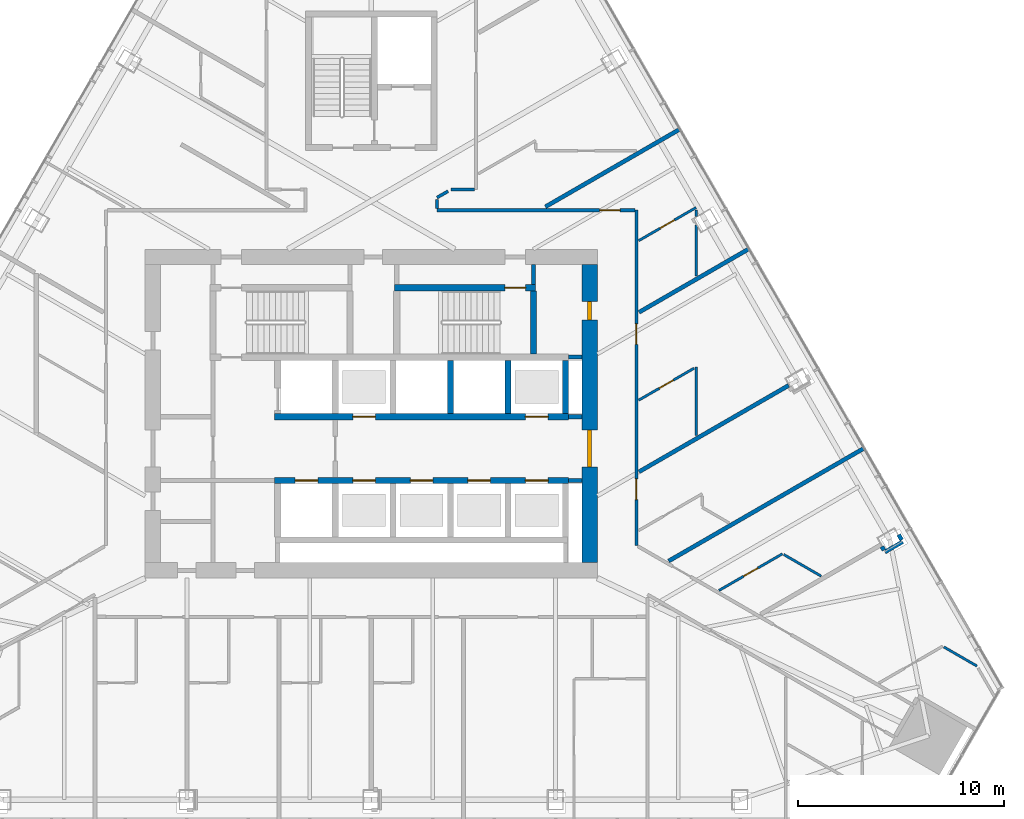
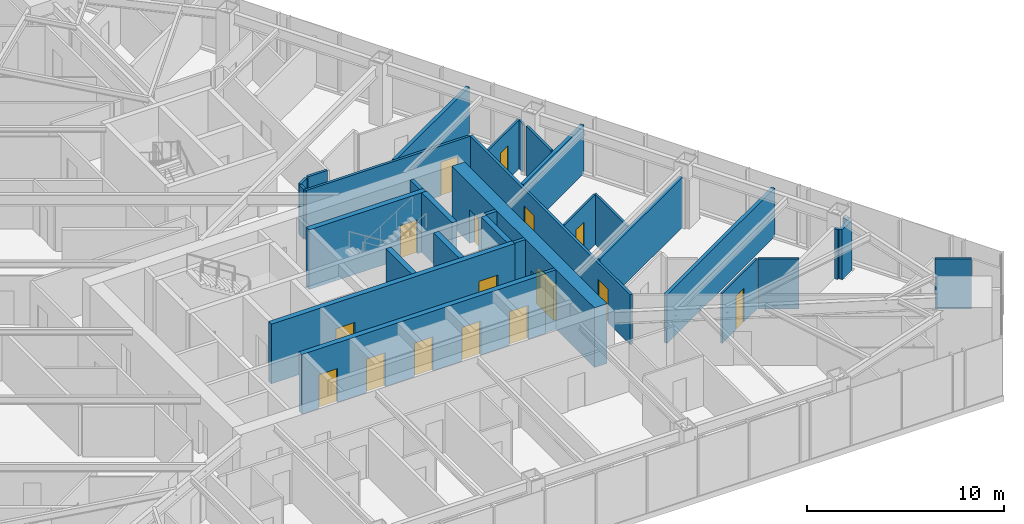
# One storey, part 17 of 21: 32 walls, 16 doors, 16 openings.
"""IFC4 building model written with IfcOpenShell, lengths in metres."""

from ifc_helpers import new_model, si_unit, direction, frame, frame_2d, origin, place, context, subcontext, project, spatial, rectangle, extrude, material, layer, layer_set, type_object, element, fill, save


model = new_model("IFC4")

# Units and contexts
model_context = context("Model", 3, precision=1e-05, world=origin(), true_north=direction((0.0, 1.0)))
body_context = subcontext(model_context, "Body", "Model", "MODEL_VIEW")
ifc_project = project(units=[si_unit("LENGTHUNIT", "METRE"), si_unit("AREAUNIT", "SQUARE_METRE"), si_unit("VOLUMEUNIT", "CUBIC_METRE"), si_unit("PLANEANGLEUNIT", "RADIAN"), si_unit("MASSUNIT", "GRAM", prefix="KILO")], contexts=[model_context])

# Site, building, storey
site_placement = place(None, origin())
site = spatial("IfcSite", under=ifc_project, at=site_placement, CompositionType="ELEMENT")
building_placement = place(site_placement, origin())
building = spatial("IfcBuilding", under=site, at=building_placement, Name="Firuza Gate Tower and Library", CompositionType="ELEMENT")
storey_placement = place(building_placement, frame((0.0, 0.0, 167.5)))
storey = spatial("IfcBuildingStorey", under=building, at=storey_placement, Name="L38", CompositionType="ELEMENT", Elevation=167.5)

# Walls
ifc_material_1 = material(Name="Plasterboard on steel studs", Category="steel")
ifc_layer_1 = layer(ifc_material_1, 0.199951171875)
ifc_layer_set_1 = layer_set([ifc_layer_1], Name="Core partition 200 EI 120")
wall_type_1 = type_object("IfcWallType", Name="Core partition 200 EI 120", PredefinedType="PARTITIONING", material=ifc_layer_set_1)
for number, where, z_axis, x_axis, name in (
    (1, (84.60009765625, 71.75, 0.0), (0.0, 0.0, 1.0), (1.0, 0.0, 0.0), "Core partition L38 3"),
    (2, (84.60009765625, 74.85009765625, 0.0), (0.0, 0.0, 1.0), (1.0, 0.0, 0.0), "Core partition L38 5"),
    (3, (84.60009765625, 77.75, 0.0), (0.0, 0.0, 1.0), (1.0, 0.0, 0.0), "Core partition L38 6"),
):
    element("IfcWall", number, at=place(storey_placement, frame(where, z_axis=z_axis, x_axis=x_axis)), inside=storey, type_object=wall_type_1, Name=name, PredefinedType="PARTITIONING", context=body_context, shape_type="SweptSolid", body=[
        extrude(rectangle(XDim=0.64990234375, YDim=0.199951171875, at=frame_2d((0.324951171875, 0.0))), origin(), (0.0, 0.0, 1.0), 3.699951171875),
    ])
ifc_material_2 = material(Name="Plasterboard on steel studs", Category="steel")
ifc_layer_2 = layer(ifc_material_2, 0.199951171875)
ifc_layer_set_2 = layer_set([ifc_layer_2], Name="Core partition 200 EI 60")
wall_type_2 = type_object("IfcWallType", Name="Core partition 200 EI 60", PredefinedType="PARTITIONING", material=ifc_layer_set_2)
wall_1_placement = place(storey_placement, frame((82.89990234375, 81.280029296875, 0.0), z_axis=(0.0, 0.0, 1.0), x_axis=(0.0, 1.0, 0.0)))
element("IfcWall", 4, at=wall_1_placement, inside=storey, type_object=wall_type_2, Name="Core partition L38 14", PredefinedType="PARTITIONING", context=body_context, shape_type="SweptSolid", body=[
    extrude(rectangle(XDim=0.969970703125, YDim=0.199951171875, at=frame_2d((0.48486328125, 0.0))), origin(), (0.0, 0.0, 1.0), 3.699951171875),
])

# Wall, openings, doors
ifc_material_3 = material(Name="Concrete C80/95", Category="concrete")
ifc_layer_3 = layer(ifc_material_3, 0.300048828125)
ifc_layer_set_3 = layer_set([ifc_layer_3], Name="Core wall 300 C80/95")
wall_type_3 = type_object("IfcWallType", Name="Core wall 300 C80/95", PredefinedType="SHEAR", material=ifc_layer_set_3)
wall_2_placement = place(storey_placement, frame((70.300048828125, 71.75, 0.0), z_axis=(0.0, 0.0, 1.0), x_axis=(1.0, 0.0, 0.0)))
wall_2 = element("IfcWall", 5, at=wall_2_placement, inside=storey, type_object=wall_type_3, Name="Core wall L38 6", PredefinedType="SHEAR", context=body_context, shape_type="SweptSolid", body=[
    extrude(rectangle(XDim=14.300048828125, YDim=0.300048828125, at=frame_2d((7.14990234375, 0.0))), origin(), (0.0, 0.0, 1.0), 3.699951171875),
])
opening_1_placement = place(wall_2_placement, frame((1.0, 0.0, 0.0)))
opening_1 = element("IfcOpeningElement", 6, at=opening_1_placement, cuts=wall_2, Name="Opening LD-FF1-L38", PredefinedType="OPENING", context=body_context, shape_type="SweptSolid", body=[
    extrude(rectangle(XDim=1.10009765625, YDim=2.10009765625, at=frame_2d((0.550048828125, 1.050048828125))), frame((0.0, 0.16015625, 0.0), z_axis=(0.0, -1.0, 0.0), x_axis=(1.0, 0.0, 0.0)), (0.0, 0.0, 1.0), 0.320068359375),
])
opening_2_placement = place(wall_2_placement, frame((3.800048828125, 0.0, 0.0)))
opening_2 = element("IfcOpeningElement", 7, at=opening_2_placement, cuts=wall_2, Name="Opening LD-MR1-L38", PredefinedType="OPENING", context=body_context, shape_type="SweptSolid", body=[
    extrude(rectangle(XDim=1.10009765625, YDim=2.10009765625, at=frame_2d((0.550048828125, 1.050048828125))), frame((0.0, 0.16015625, 0.0), z_axis=(0.0, -1.0, 0.0), x_axis=(1.0, 0.0, 0.0)), (0.0, 0.0, 1.0), 0.320068359375),
])
opening_3_placement = place(wall_2_placement, frame((6.60009765625, 0.0, 0.0)))
opening_3 = element("IfcOpeningElement", 8, at=opening_3_placement, cuts=wall_2, Name="Opening LD-MR2-L38", PredefinedType="OPENING", context=body_context, shape_type="SweptSolid", body=[
    extrude(rectangle(XDim=1.10009765625, YDim=2.10009765625, at=frame_2d((0.550048828125, 1.050048828125))), frame((0.0, 0.16015625, 0.0), z_axis=(0.0, -1.0, 0.0), x_axis=(1.0, 0.0, 0.0)), (0.0, 0.0, 1.0), 0.320068359375),
])
opening_4_placement = place(wall_2_placement, frame((9.39990234375, 0.0, 0.0)))
opening_4 = element("IfcOpeningElement", 9, at=opening_4_placement, cuts=wall_2, Name="Opening LD-MR3-L38", PredefinedType="OPENING", context=body_context, shape_type="SweptSolid", body=[
    extrude(rectangle(XDim=1.10009765625, YDim=2.10009765625, at=frame_2d((0.550048828125, 1.050048828125))), frame((0.0, 0.16015625, 0.0), z_axis=(0.0, -1.0, 0.0), x_axis=(1.0, 0.0, 0.0)), (0.0, 0.0, 1.0), 0.320068359375),
])
opening_5_placement = place(wall_2_placement, frame((12.199951171875, 0.0, 0.0)))
opening_5 = element("IfcOpeningElement", 10, at=opening_5_placement, cuts=wall_2, Name="Opening LD-MR5-L38", PredefinedType="OPENING", context=body_context, shape_type="SweptSolid", body=[
    extrude(rectangle(XDim=1.10009765625, YDim=2.10009765625, at=frame_2d((0.550048828125, 1.050048828125))), frame((0.0, 0.16015625, 0.0), z_axis=(0.0, -1.0, 0.0), x_axis=(1.0, 0.0, 0.0)), (0.0, 0.0, 1.0), 0.320068359375),
])
ifc_material_4 = material(Name="Stainless steel", Category="steel")
door_type_1 = type_object("IfcDoorType", Name="Lift landing door 1100x2100", OperationType="DOUBLE_DOOR_SLIDING", PredefinedType="DOOR", material=ifc_material_4)
door_1_placement = place(opening_1_placement, origin())
door_1 = element("IfcDoor", 11, at=door_1_placement, inside=storey, type_object=door_type_1, Name="Landing door FF1 L38", OperationType="DOUBLE_DOOR_SLIDING", OverallHeight=2.10009765625, OverallWidth=1.10009765625, PredefinedType="DOOR", context=body_context, shape_type="SweptSolid", body=[
    extrude(rectangle(XDim=1.10009765625, YDim=2.10009765625, at=frame_2d((0.550048828125, 1.050048828125))), frame((0.0, 0.02490234375, 0.0), z_axis=(0.0, -1.0, 0.0), x_axis=(1.0, 0.0, 0.0)), (0.0, 0.0, 1.0), 0.050048828125),
])
fill(opening_1, door_1)
door_2_placement = place(opening_2_placement, origin())
door_2 = element("IfcDoor", 12, at=door_2_placement, inside=storey, type_object=door_type_1, Name="Landing door MR1 L38", OperationType="DOUBLE_DOOR_SLIDING", OverallHeight=2.10009765625, OverallWidth=1.10009765625, PredefinedType="DOOR", context=body_context, shape_type="SweptSolid", body=[
    extrude(rectangle(XDim=1.10009765625, YDim=2.10009765625, at=frame_2d((0.550048828125, 1.050048828125))), frame((0.0, 0.02490234375, 0.0), z_axis=(0.0, -1.0, 0.0), x_axis=(1.0, 0.0, 0.0)), (0.0, 0.0, 1.0), 0.050048828125),
])
fill(opening_2, door_2)
door_3_placement = place(opening_3_placement, origin())
door_3 = element("IfcDoor", 13, at=door_3_placement, inside=storey, type_object=door_type_1, Name="Landing door MR2 L38", OperationType="DOUBLE_DOOR_SLIDING", OverallHeight=2.10009765625, OverallWidth=1.10009765625, PredefinedType="DOOR", context=body_context, shape_type="SweptSolid", body=[
    extrude(rectangle(XDim=1.10009765625, YDim=2.10009765625, at=frame_2d((0.550048828125, 1.050048828125))), frame((0.0, 0.02490234375, 0.0), z_axis=(0.0, -1.0, 0.0), x_axis=(1.0, 0.0, 0.0)), (0.0, 0.0, 1.0), 0.050048828125),
])
fill(opening_3, door_3)
door_4_placement = place(opening_4_placement, origin())
door_4 = element("IfcDoor", 14, at=door_4_placement, inside=storey, type_object=door_type_1, Name="Landing door MR3 L38", OperationType="DOUBLE_DOOR_SLIDING", OverallHeight=2.10009765625, OverallWidth=1.10009765625, PredefinedType="DOOR", context=body_context, shape_type="SweptSolid", body=[
    extrude(rectangle(XDim=1.10009765625, YDim=2.10009765625, at=frame_2d((0.550048828125, 1.050048828125))), frame((0.0, 0.02490234375, 0.0), z_axis=(0.0, -1.0, 0.0), x_axis=(1.0, 0.0, 0.0)), (0.0, 0.0, 1.0), 0.050048828125),
])
fill(opening_4, door_4)
door_5_placement = place(opening_5_placement, origin())
door_5 = element("IfcDoor", 15, at=door_5_placement, inside=storey, type_object=door_type_1, Name="Landing door MR5 L38", OperationType="DOUBLE_DOOR_SLIDING", OverallHeight=2.10009765625, OverallWidth=1.10009765625, PredefinedType="DOOR", context=body_context, shape_type="SweptSolid", body=[
    extrude(rectangle(XDim=1.10009765625, YDim=2.10009765625, at=frame_2d((0.550048828125, 1.050048828125))), frame((0.0, 0.02490234375, 0.0), z_axis=(0.0, -1.0, 0.0), x_axis=(1.0, 0.0, 0.0)), (0.0, 0.0, 1.0), 0.050048828125),
])
fill(opening_5, door_5)

wall_3_placement = place(storey_placement, frame((70.300048828125, 74.85009765625, 0.0), z_axis=(0.0, 0.0, 1.0), x_axis=(1.0, 0.0, 0.0)))
wall_3 = element("IfcWall", 16, at=wall_3_placement, inside=storey, type_object=wall_type_3, Name="Core wall L38 7", PredefinedType="SHEAR", context=body_context, shape_type="SweptSolid", body=[
    extrude(rectangle(XDim=14.300048828125, YDim=0.300048828125, at=frame_2d((7.14990234375, 0.0))), origin(), (0.0, 0.0, 1.0), 3.699951171875),
])
opening_6_placement = place(wall_3_placement, frame((3.800048828125, 0.0, 0.0)))
opening_6 = element("IfcOpeningElement", 17, at=opening_6_placement, cuts=wall_3, Name="Opening LD-MR4-L38", PredefinedType="OPENING", context=body_context, shape_type="SweptSolid", body=[
    extrude(rectangle(XDim=1.10009765625, YDim=2.10009765625, at=frame_2d((0.550048828125, 1.050048828125))), frame((0.0, 0.16015625, 0.0), z_axis=(0.0, -1.0, 0.0), x_axis=(1.0, 0.0, 0.0)), (0.0, 0.0, 1.0), 0.320068359375),
])
opening_7_placement = place(wall_3_placement, frame((12.199951171875, 0.0, 0.0)))
opening_7 = element("IfcOpeningElement", 18, at=opening_7_placement, cuts=wall_3, Name="Opening LD-MR6-L38", PredefinedType="OPENING", context=body_context, shape_type="SweptSolid", body=[
    extrude(rectangle(XDim=1.10009765625, YDim=2.10009765625, at=frame_2d((0.550048828125, 1.050048828125))), frame((0.0, 0.16015625, 0.0), z_axis=(0.0, -1.0, 0.0), x_axis=(1.0, 0.0, 0.0)), (0.0, 0.0, 1.0), 0.320068359375),
])
door_6_placement = place(opening_6_placement, origin())
door_6 = element("IfcDoor", 19, at=door_6_placement, inside=storey, type_object=door_type_1, Name="Landing door MR4 L38", OperationType="DOUBLE_DOOR_SLIDING", OverallHeight=2.10009765625, OverallWidth=1.10009765625, PredefinedType="DOOR", context=body_context, shape_type="SweptSolid", body=[
    extrude(rectangle(XDim=1.10009765625, YDim=2.10009765625, at=frame_2d((0.550048828125, 1.050048828125))), frame((0.0, 0.02490234375, 0.0), z_axis=(0.0, -1.0, 0.0), x_axis=(1.0, 0.0, 0.0)), (0.0, 0.0, 1.0), 0.050048828125),
])
fill(opening_6, door_6)
door_7_placement = place(opening_7_placement, origin())
door_7 = element("IfcDoor", 20, at=door_7_placement, inside=storey, type_object=door_type_1, Name="Landing door MR6 L38", OperationType="DOUBLE_DOOR_SLIDING", OverallHeight=2.10009765625, OverallWidth=1.10009765625, PredefinedType="DOOR", context=body_context, shape_type="SweptSolid", body=[
    extrude(rectangle(XDim=1.10009765625, YDim=2.10009765625, at=frame_2d((0.550048828125, 1.050048828125))), frame((0.0, 0.02490234375, 0.0), z_axis=(0.0, -1.0, 0.0), x_axis=(1.0, 0.0, 0.0)), (0.0, 0.0, 1.0), 0.050048828125),
])
fill(opening_7, door_7)

# Walls
for number, where, z_axis, x_axis, name in (
    (21, (78.85009765625, 75.0, 0.0), (0.0, 0.0, 1.0), (0.0, 1.0, 0.0), "Core wall L38 15"),
    (22, (81.64990234375, 75.0, 0.0), (0.0, 0.0, 1.0), (0.0, 1.0, 0.0), "Core wall L38 17"),
    (23, (84.449951171875, 75.0, 0.0), (0.0, 0.0, 1.0), (0.0, 1.0, 0.0), "Core wall L38 19"),
):
    element("IfcWall", number, at=place(storey_placement, frame(where, z_axis=z_axis, x_axis=x_axis)), inside=storey, type_object=wall_type_3, Name=name, PredefinedType="SHEAR", context=body_context, shape_type="SweptSolid", body=[
        extrude(rectangle(XDim=2.60009765625, YDim=0.300048828125, at=frame_2d((1.300048828125, 0.0))), origin(), (0.0, 0.0, 1.0), 3.699951171875),
    ])

# Wall, opening, door
wall_4_placement = place(storey_placement, frame((76.139892578125, 81.1298828125, 0.0), z_axis=(0.0, 0.0, 1.0), x_axis=(1.0, 0.0, 0.0)))
wall_4 = element("IfcWall", 24, at=wall_4_placement, inside=storey, type_object=wall_type_3, Name="Core wall L38 22", PredefinedType="SHEAR", context=body_context, shape_type="SweptSolid", body=[
    extrude(rectangle(XDim=6.860107421875, YDim=0.300048828125, at=frame_2d((3.43017578125, 0.0))), origin(), (0.0, 0.0, 1.0), 3.699951171875),
])
opening_8_placement = place(wall_4_placement, frame((5.364990234375, 0.0, 0.0)))
opening_8 = element("IfcOpeningElement", 25, at=opening_8_placement, cuts=wall_4, Name="Opening L38-K13", PredefinedType="OPENING", context=body_context, shape_type="SweptSolid", body=[
    extrude(rectangle(XDim=1.0, YDim=2.10009765625, at=frame_2d((0.5, 1.050048828125))), frame((0.0, 0.16015625, 0.0), z_axis=(0.0, -1.0, 0.0), x_axis=(1.0, 0.0, 0.0)), (0.0, 0.0, 1.0), 0.320068359375),
])
ifc_material_5 = material(Name="Steel", Category="steel")
door_type_2 = type_object("IfcDoorType", Name="Fire door 1000x2100 FD90", OperationType="NOTDEFINED", PredefinedType="DOOR", material=ifc_material_5)
door_8_placement = place(opening_8_placement, origin())
door_8 = element("IfcDoor", 26, at=door_8_placement, inside=storey, type_object=door_type_2, Name="Door L38-K13", OperationType="SINGLE_SWING_RIGHT", OverallHeight=2.10009765625, OverallWidth=1.0, PredefinedType="DOOR", context=body_context, shape_type="SweptSolid", body=[
    extrude(rectangle(XDim=1.0, YDim=2.10009765625, at=frame_2d((0.5, 1.050048828125))), frame((0.0, 0.02490234375, 0.0), z_axis=(0.0, -1.0, 0.0), x_axis=(1.0, 0.0, 0.0)), (0.0, 0.0, 1.0), 0.050048828125),
])
fill(opening_8, door_8)

# Wall
wall_5_placement = place(storey_placement, frame((82.89990234375, 77.89990234375, 0.0), z_axis=(0.0, 0.0, 1.0), x_axis=(0.0, 1.0, 0.0)))
element("IfcWall", 27, at=wall_5_placement, inside=storey, type_object=wall_type_3, Name="Core wall L38 26", PredefinedType="SHEAR", context=body_context, shape_type="SweptSolid", body=[
    extrude(rectangle(XDim=3.080078125, YDim=0.300048828125, at=frame_2d((1.5400390625, 0.0))), origin(), (0.0, 0.0, 1.0), 3.699951171875),
])

# Wall, openings, doors
ifc_material_6 = material(Name="Concrete C80/95", Category="concrete")
ifc_layer_4 = layer(ifc_material_6, 0.75)
ifc_layer_set_4 = layer_set([ifc_layer_4], Name="Core wall 750 C80/95")
wall_type_4 = type_object("IfcWallType", Name="Core wall 750 C80/95", PredefinedType="SHEAR", material=ifc_layer_set_4)
wall_6_placement = place(storey_placement, frame((85.625, 67.75, 0.0), z_axis=(0.0, 0.0, 1.0), x_axis=(0.0, 1.0, 0.0)))
wall_6 = element("IfcWall", 28, at=wall_6_placement, inside=storey, type_object=wall_type_4, Name="Core wall L38 4", PredefinedType="SHEAR", context=body_context, shape_type="SweptSolid", body=[
    extrude(rectangle(XDim=14.5, YDim=0.75, at=frame_2d((7.25, 0.0))), origin(), (0.0, 0.0, 1.0), 3.699951171875),
])
opening_9_placement = place(wall_6_placement, frame((4.64990234375, 0.0, 0.0)))
opening_9 = element("IfcOpeningElement", 29, at=opening_9_placement, cuts=wall_6, Name="Opening L38-K21", PredefinedType="OPENING", context=body_context, shape_type="SweptSolid", body=[
    extrude(rectangle(XDim=1.800048828125, YDim=2.10009765625, at=frame_2d((0.89990234375, 1.050048828125))), frame((0.0, 0.385009765625, 0.0), z_axis=(0.0, -1.0, 0.0), x_axis=(1.0, 0.0, 0.0)), (0.0, 0.0, 1.0), 0.77001953125),
])
opening_10_placement = place(wall_6_placement, frame((11.800048828125, 0.0, 0.0)))
opening_10 = element("IfcOpeningElement", 30, at=opening_10_placement, cuts=wall_6, Name="Opening L38-K27", PredefinedType="OPENING", context=body_context, shape_type="SweptSolid", body=[
    extrude(rectangle(XDim=0.89990234375, YDim=2.10009765625, at=frame_2d((0.449951171875, 1.050048828125))), frame((0.0, 0.385009765625, 0.0), z_axis=(0.0, -1.0, 0.0), x_axis=(1.0, 0.0, 0.0)), (0.0, 0.0, 1.0), 0.77001953125),
])
ifc_material_7 = material(Name="Steel", Category="steel")
door_type_3 = type_object("IfcDoorType", Name="Fire door 1800x2100 FD30S", OperationType="NOTDEFINED", PredefinedType="DOOR", material=ifc_material_7)
door_9_placement = place(opening_9_placement, origin())
door_9 = element("IfcDoor", 31, at=door_9_placement, inside=storey, type_object=door_type_3, Name="Door L38-K21", OperationType="SINGLE_SWING_RIGHT", OverallHeight=2.10009765625, OverallWidth=1.800048828125, PredefinedType="DOOR", context=body_context, shape_type="SweptSolid", body=[
    extrude(rectangle(XDim=1.800048828125, YDim=2.10009765625, at=frame_2d((0.89990234375, 1.050048828125))), frame((0.0, 0.094970703125, 0.0), z_axis=(0.0, -1.0, 0.0), x_axis=(1.0, 0.0, 0.0)), (0.0, 0.0, 1.0), 0.18994140625),
])
fill(opening_9, door_9)
ifc_material_8 = material(Name="Steel", Category="steel")
door_type_4 = type_object("IfcDoorType", Name="Fire door 900x2100 FD30S", OperationType="NOTDEFINED", PredefinedType="DOOR", material=ifc_material_8)
door_10_placement = place(opening_10_placement, origin())
door_10 = element("IfcDoor", 32, at=door_10_placement, inside=storey, type_object=door_type_4, Name="Door L38-K27", OperationType="SINGLE_SWING_RIGHT", OverallHeight=2.10009765625, OverallWidth=0.89990234375, PredefinedType="DOOR", context=body_context, shape_type="SweptSolid", body=[
    extrude(rectangle(XDim=0.89990234375, YDim=2.10009765625, at=frame_2d((0.449951171875, 1.050048828125))), frame((0.0, 0.094970703125, 0.0), z_axis=(0.0, -1.0, 0.0), x_axis=(1.0, 0.0, 0.0)), (0.0, 0.0, 1.0), 0.18994140625),
])
fill(opening_10, door_10)

# Wall, opening, door
ifc_material_9 = material(Name="Gypsum board partition")
ifc_layer_5 = layer(ifc_material_9, 0.14990234375)
ifc_layer_set_5 = layer_set([ifc_layer_5], Name="Corridor wall 150 double board on steel studs")
wall_type_5 = type_object("IfcWallType", Name="Corridor wall 150 double board on steel studs", PredefinedType="PARTITIONING", material=ifc_layer_set_5)
wall_7_placement = place(storey_placement, frame((78.199951171875, 84.89990234375, 0.0), z_axis=(0.0, 0.0, 1.0), x_axis=(1.0, 0.0, 0.0)))
wall_7 = element("IfcWall", 33, at=wall_7_placement, inside=storey, type_object=wall_type_5, Name="f:L38:w012", PredefinedType="PARTITIONING", context=body_context, shape_type="SweptSolid", body=[
    extrude(rectangle(XDim=9.62451171875, YDim=0.14990234375, at=frame_2d((4.812255859375, 0.0))), origin(), (0.0, 0.0, 1.0), 3.10009765625),
])
opening_11_placement = place(wall_7_placement, frame((7.908203125, 0.0, 0.0)))
opening_11 = element("IfcOpeningElement", 34, at=opening_11_placement, cuts=wall_7, Name="Opening L38-11", PredefinedType="OPENING", context=body_context, shape_type="SweptSolid", body=[
    extrude(rectangle(XDim=1.0, YDim=2.10009765625, at=frame_2d((0.5, 1.050048828125))), frame((0.0, 0.0849609375, 0.0), z_axis=(0.0, -1.0, 0.0), x_axis=(1.0, 0.0, 0.0)), (0.0, 0.0, 1.0), 0.169921875),
])
ifc_material_10 = material(Name="Steel door and timber leaf", Category="steel")
door_type_5 = type_object("IfcDoorType", Name="Fire door 1000 x 2100 steel frame, timber leaf", OperationType="NOTDEFINED", PredefinedType="DOOR", material=ifc_material_10)
door_11_placement = place(opening_11_placement, origin())
door_11 = element("IfcDoor", 35, at=door_11_placement, inside=storey, type_object=door_type_5, Name="f:L38:d011", OperationType="SINGLE_SWING_LEFT", OverallHeight=2.10009765625, OverallWidth=1.0, PredefinedType="DOOR", context=body_context, shape_type="SweptSolid", body=[
    extrude(rectangle(XDim=1.0, YDim=2.10009765625, at=frame_2d((0.5, 1.050048828125))), frame((0.0, 0.02490234375, 0.0), z_axis=(0.0, -1.0, 0.0), x_axis=(1.0, 0.0, 0.0)), (0.0, 0.0, 1.0), 0.050048828125),
])
fill(opening_11, door_11)

# Walls
wall_8_placement = place(storey_placement, frame((78.8681640625, 85.89990234375, 0.0), z_axis=(0.0, 0.0, 1.0), x_axis=(1.0, 0.0, 0.0)))
element("IfcWall", 36, at=wall_8_placement, inside=storey, type_object=wall_type_5, Name="f:L38:w014", PredefinedType="PARTITIONING", context=body_context, shape_type="SweptSolid", body=[
    extrude(rectangle(XDim=1.15673828125, YDim=0.14990234375, at=frame_2d((0.578369140625, 0.0))), origin(), (0.0, 0.0, 1.0), 3.10009765625),
])
wall_9_placement = place(storey_placement, frame((78.19970703125, 85.5146484375, 0.0), z_axis=(0.0, 0.0, 1.0), x_axis=(0.866035156036, 0.499983108224, 0.0)))
element("IfcWall", 37, at=wall_9_placement, inside=storey, type_object=wall_type_5, Name="f:L38:w039", PredefinedType="PARTITIONING", context=body_context, shape_type="SweptSolid", body=[
    extrude(rectangle(XDim=0.62158203125, YDim=0.14990234375, at=frame_2d((0.310791015625, 0.0))), origin(), (0.0, 0.0, 1.0), 3.10009765625),
])

# Wall, openings, doors
wall_10_placement = place(storey_placement, frame((87.89990234375, 84.8994140625, 0.0), z_axis=(0.0, 0.0, 1.0), x_axis=(0.0, -1.0, 0.0)))
wall_10 = element("IfcWall", 38, at=wall_10_placement, inside=storey, type_object=wall_type_5, Name="f:L38:w054", PredefinedType="PARTITIONING", context=body_context, shape_type="SweptSolid", body=[
    extrude(rectangle(XDim=16.30810546875, YDim=0.14990234375, at=frame_2d((8.154052734375, 0.0))), origin(), (0.0, 0.0, 1.0), 3.10009765625),
])
opening_12_placement = place(wall_10_placement, frame((5.526611328125, 0.0, 0.0)))
opening_12 = element("IfcOpeningElement", 39, at=opening_12_placement, cuts=wall_10, Name="Opening L38-31", PredefinedType="OPENING", context=body_context, shape_type="SweptSolid", body=[
    extrude(rectangle(XDim=1.0, YDim=2.10009765625, at=frame_2d((0.5, 1.050048828125))), frame((0.0, 0.0849609375, 0.0), z_axis=(0.0, -1.0, 0.0), x_axis=(1.0, 0.0, 0.0)), (0.0, 0.0, 1.0), 0.169921875),
])
opening_13_placement = place(wall_10_placement, frame((13.074462890625, 0.0, 0.0)))
opening_13 = element("IfcOpeningElement", 40, at=opening_13_placement, cuts=wall_10, Name="Opening L38-32", PredefinedType="OPENING", context=body_context, shape_type="SweptSolid", body=[
    extrude(rectangle(XDim=1.0, YDim=2.10009765625, at=frame_2d((0.5, 1.050048828125))), frame((0.0, 0.0849609375, 0.0), z_axis=(0.0, -1.0, 0.0), x_axis=(1.0, 0.0, 0.0)), (0.0, 0.0, 1.0), 0.169921875),
])
door_12_placement = place(opening_12_placement, origin())
door_12 = element("IfcDoor", 41, at=door_12_placement, inside=storey, type_object=door_type_5, Name="f:L38:d031", OperationType="SINGLE_SWING_RIGHT", OverallHeight=2.10009765625, OverallWidth=1.0, PredefinedType="DOOR", context=body_context, shape_type="SweptSolid", body=[
    extrude(rectangle(XDim=1.0, YDim=2.10009765625, at=frame_2d((0.5, 1.050048828125))), frame((0.0, 0.02490234375, 0.0), z_axis=(0.0, -1.0, 0.0), x_axis=(1.0, 0.0, 0.0)), (0.0, 0.0, 1.0), 0.050048828125),
])
fill(opening_12, door_12)
door_13_placement = place(opening_13_placement, origin())
door_13 = element("IfcDoor", 42, at=door_13_placement, inside=storey, type_object=door_type_5, Name="f:L38:d032", OperationType="SINGLE_SWING_RIGHT", OverallHeight=2.10009765625, OverallWidth=1.0, PredefinedType="DOOR", context=body_context, shape_type="SweptSolid", body=[
    extrude(rectangle(XDim=1.0, YDim=2.10009765625, at=frame_2d((0.5, 1.050048828125))), frame((0.0, 0.02490234375, 0.0), z_axis=(0.0, -1.0, 0.0), x_axis=(1.0, 0.0, 0.0)), (0.0, 0.0, 1.0), 0.050048828125),
])
fill(opening_13, door_13)

# Walls
wall_11_placement = place(storey_placement, frame((78.199951171875, 84.97509765625, 0.0), z_axis=(0.0, 0.0, 1.0), x_axis=(0.0, 1.0, 0.0)))
element("IfcWall", 43, at=wall_11_placement, inside=storey, type_object=wall_type_5, Name="f:L38:w062", PredefinedType="PARTITIONING", context=body_context, shape_type="SweptSolid", body=[
    extrude(rectangle(XDim=0.45263671875, YDim=0.14990234375, at=frame_2d((0.226318359375, 0.0))), origin(), (0.0, 0.0, 1.0), 3.10009765625),
])
ifc_material_11 = material(Name="Gypsum board partition")
ifc_layer_6 = layer(ifc_material_11, 0.199951171875)
ifc_layer_set_6 = layer_set([ifc_layer_6], Name="Demising wall 200 acoustic double stud")
wall_type_6 = type_object("IfcWallType", Name="Demising wall 200 acoustic double stud", PredefinedType="PARTITIONING", material=ifc_layer_set_6)
wall_12_placement = place(storey_placement, frame((99.992919921875, 68.27099609375, 0.0), z_axis=(0.0, 0.0, 1.0), x_axis=(0.86597798544, 0.50008212199, 0.0)))
element("IfcWall", 44, at=wall_12_placement, inside=storey, type_object=wall_type_6, Name="f:L38:w022", PredefinedType="PARTITIONING", context=body_context, shape_type="SweptSolid", body=[
    extrude(rectangle(XDim=0.998779296875, YDim=0.199951171875, at=frame_2d((0.49951171875, 0.0))), origin(), (0.0, 0.0, 1.0), 3.10009765625),
])
wall_13_placement = place(storey_placement, frame((89.469970703125, 67.83154296875, 0.0), z_axis=(0.0, 0.0, 1.0), x_axis=(0.866016372647, 0.500015642063, 0.0)))
element("IfcWall", 45, at=wall_13_placement, inside=storey, type_object=wall_type_6, Name="f:L38:w025", PredefinedType="PARTITIONING", context=body_context, shape_type="SweptSolid", body=[
    extrude(rectangle(XDim=10.932373046875, YDim=0.199951171875, at=frame_2d((5.46630859375, 0.0))), origin(), (0.0, 0.0, 1.0), 3.02197265625),
])
wall_14_placement = place(storey_placement, frame((88.02685546875, 72.1728515625, 0.0), z_axis=(0.0, 0.0, 1.0), x_axis=(0.866035743139, 0.499982091285, 0.0)))
element("IfcWall", 46, at=wall_14_placement, inside=storey, type_object=wall_type_6, Name="f:L38:w028", PredefinedType="PARTITIONING", context=body_context, shape_type="SweptSolid", body=[
    extrude(rectangle(XDim=8.410888671875, YDim=0.199951171875, at=frame_2d((4.20556640625, 0.0))), origin(), (0.0, 0.0, 1.0), 3.10009765625),
])
wall_15_placement = place(storey_placement, frame((88.027099609375, 79.93359375, 0.0), z_axis=(0.0, 0.0, 1.0), x_axis=(0.866029087811, 0.499993619025, 0.0)))
element("IfcWall", 47, at=wall_15_placement, inside=storey, type_object=wall_type_6, Name="f:L38:w032", PredefinedType="PARTITIONING", context=body_context, shape_type="SweptSolid", body=[
    extrude(rectangle(XDim=6.130859375, YDim=0.199951171875, at=frame_2d((3.0654296875, 0.0))), origin(), (0.0, 0.0, 1.0), 3.02197265625),
])
wall_16_placement = place(storey_placement, frame((83.47119140625, 85.065185546875, 0.0), z_axis=(0.0, 0.0, 1.0), x_axis=(0.866022108301, 0.500005707901, 0.0)))
element("IfcWall", 48, at=wall_16_placement, inside=storey, type_object=wall_type_6, Name="f:L38:w038", PredefinedType="PARTITIONING", context=body_context, shape_type="SweptSolid", body=[
    extrude(rectangle(XDim=7.5107421875, YDim=0.199951171875, at=frame_2d((3.75537109375, 0.0))), origin(), (0.0, 0.0, 1.0), 3.02197265625),
])
wall_17_placement = place(storey_placement, frame((100.807861328125, 68.857666015625, 0.0), z_axis=(0.0, 0.0, 1.0), x_axis=(-0.49965177357, 0.866226359082, 0.0)))
element("IfcWall", 49, at=wall_17_placement, inside=storey, type_object=wall_type_6, Name="f:L38:w087", PredefinedType="PARTITIONING", context=body_context, shape_type="SweptSolid", body=[
    extrude(rectangle(XDim=0.299072265625, YDim=0.199951171875, at=frame_2d((0.1494140625, 0.0))), origin(), (0.0, 0.0, 1.0), 3.10009765625),
])
wall_18_placement = place(storey_placement, frame((99.94189453125, 68.357666015625, 0.0), z_axis=(0.0, 0.0, 1.0), x_axis=(-0.500359323436, 0.865817848887, 0.0)))
element("IfcWall", 50, at=wall_18_placement, inside=storey, type_object=wall_type_6, Name="f:L38:w089", PredefinedType="PARTITIONING", context=body_context, shape_type="SweptSolid", body=[
    extrude(rectangle(XDim=0.198974609375, YDim=0.199951171875, at=frame_2d((0.099609375, 0.0))), origin(), (0.0, 0.0, 1.0), 3.10009765625),
])

# Wall, opening, door
ifc_material_12 = material(Name="Gypsum board partition")
ifc_layer_7 = layer(ifc_material_12, 0.1201171875)
ifc_layer_set_7 = layer_set([ifc_layer_7], Name="Wet-area partition 120 moisture-resistant board")
wall_type_7 = type_object("IfcWallType", Name="Wet-area partition 120 moisture-resistant board", PredefinedType="PARTITIONING", material=ifc_layer_set_7)
wall_19_placement = place(storey_placement, frame((95.007568359375, 68.1826171875, 0.0), z_axis=(0.0, 0.0, 1.0), x_axis=(-0.866028357664, -0.499994883695, 0.0)))
wall_19 = element("IfcWall", 51, at=wall_19_placement, inside=storey, type_object=wall_type_7, Name="f:L38:w024", PredefinedType="PARTITIONING", context=body_context, shape_type="SweptSolid", body=[
    extrude(rectangle(XDim=3.568359375, YDim=0.1201171875, at=frame_2d((1.7841796875, 0.0))), origin(), (0.0, 0.0, 1.0), 3.10009765625),
])
opening_14_placement = place(wall_19_placement, frame((1.38427734375, 0.0, 0.0)))
opening_14 = element("IfcOpeningElement", 52, at=opening_14_placement, cuts=wall_19, Name="Opening L38-16", PredefinedType="OPENING", context=body_context, shape_type="SweptSolid", body=[
    extrude(rectangle(XDim=0.800048828125, YDim=2.10009765625, at=frame_2d((0.39990234375, 1.050048828125))), frame((0.0, 0.070068359375, 0.0), z_axis=(0.0, -1.0, 0.0), x_axis=(1.0, 0.0, 0.0)), (0.0, 0.0, 1.0), 0.14013671875),
])
ifc_material_13 = material(Name="Timber door", Category="wood")
door_type_6 = type_object("IfcDoorType", Name="Door 800 x 2100 timber leaf", OperationType="NOTDEFINED", PredefinedType="DOOR", material=ifc_material_13)
door_14_placement = place(opening_14_placement, origin())
door_14 = element("IfcDoor", 53, at=door_14_placement, inside=storey, type_object=door_type_6, Name="f:L38:d016", OperationType="SINGLE_SWING_LEFT", OverallHeight=2.10009765625, OverallWidth=0.800048828125, PredefinedType="DOOR", context=body_context, shape_type="SweptSolid", body=[
    extrude(rectangle(XDim=0.800048828125, YDim=2.10009765625, at=frame_2d((0.39990234375, 1.050048828125))), frame((0.0, 0.02490234375, 0.0), z_axis=(0.0, -1.0, 0.0), x_axis=(1.0, 0.0, 0.0)), (0.0, 0.0, 1.0), 0.050048828125),
])
fill(opening_14, door_14)

wall_20_placement = place(storey_placement, frame((90.705078125, 77.212158203125, 0.0), z_axis=(0.0, 0.0, 1.0), x_axis=(-0.866009247561, -0.500027982357, 0.0)))
wall_20 = element("IfcWall", 54, at=wall_20_placement, inside=storey, type_object=wall_type_7, Name="f:L38:w029", PredefinedType="PARTITIONING", context=body_context, shape_type="SweptSolid", body=[
    extrude(rectangle(XDim=3.112548828125, YDim=0.1201171875, at=frame_2d((1.55615234375, 0.0))), origin(), (0.0, 0.0, 1.0), 3.10009765625),
])
opening_15_placement = place(wall_20_placement, frame((1.156494140625, 0.0, 0.0)))
opening_15 = element("IfcOpeningElement", 55, at=opening_15_placement, cuts=wall_20, Name="Opening L38-18", PredefinedType="OPENING", context=body_context, shape_type="SweptSolid", body=[
    extrude(rectangle(XDim=0.800048828125, YDim=2.10009765625, at=frame_2d((0.39990234375, 1.050048828125))), frame((0.0, 0.070068359375, 0.0), z_axis=(0.0, -1.0, 0.0), x_axis=(1.0, 0.0, 0.0)), (0.0, 0.0, 1.0), 0.14013671875),
])
door_15_placement = place(opening_15_placement, origin())
door_15 = element("IfcDoor", 56, at=door_15_placement, inside=storey, type_object=door_type_6, Name="f:L38:d018", OperationType="SINGLE_SWING_LEFT", OverallHeight=2.10009765625, OverallWidth=0.800048828125, PredefinedType="DOOR", context=body_context, shape_type="SweptSolid", body=[
    extrude(rectangle(XDim=0.800048828125, YDim=2.10009765625, at=frame_2d((0.39990234375, 1.050048828125))), frame((0.0, 0.02490234375, 0.0), z_axis=(0.0, -1.0, 0.0), x_axis=(1.0, 0.0, 0.0)), (0.0, 0.0, 1.0), 0.050048828125),
])
fill(opening_15, door_15)

wall_21_placement = place(storey_placement, frame((90.800048828125, 85.027587890625, 0.0), z_axis=(0.0, 0.0, 1.0), x_axis=(-0.866010186656, -0.500026355914, 0.0)))
wall_21 = element("IfcWall", 57, at=wall_21_placement, inside=storey, type_object=wall_type_7, Name="f:L38:w034", PredefinedType="PARTITIONING", context=body_context, shape_type="SweptSolid", body=[
    extrude(rectangle(XDim=3.221923828125, YDim=0.1201171875, at=frame_2d((1.61083984375, 0.0))), origin(), (0.0, 0.0, 1.0), 3.02197265625),
])
opening_16_placement = place(wall_21_placement, frame((1.2109375, 0.0, 0.0)))
opening_16 = element("IfcOpeningElement", 58, at=opening_16_placement, cuts=wall_21, Name="Opening L38-23", PredefinedType="OPENING", context=body_context, shape_type="SweptSolid", body=[
    extrude(rectangle(XDim=0.800048828125, YDim=2.10009765625, at=frame_2d((0.39990234375, 1.050048828125))), frame((0.0, 0.070068359375, 0.0), z_axis=(0.0, -1.0, 0.0), x_axis=(1.0, 0.0, 0.0)), (0.0, 0.0, 1.0), 0.14013671875),
])
door_16_placement = place(opening_16_placement, origin())
door_16 = element("IfcDoor", 59, at=door_16_placement, inside=storey, type_object=door_type_6, Name="f:L38:d023", OperationType="SINGLE_SWING_LEFT", OverallHeight=2.10009765625, OverallWidth=0.800048828125, PredefinedType="DOOR", context=body_context, shape_type="SweptSolid", body=[
    extrude(rectangle(XDim=0.800048828125, YDim=2.10009765625, at=frame_2d((0.39990234375, 1.050048828125))), frame((0.0, 0.02490234375, 0.0), z_axis=(0.0, -1.0, 0.0), x_axis=(1.0, 0.0, 0.0)), (0.0, 0.0, 1.0), 0.050048828125),
])
fill(opening_16, door_16)

# Walls
wall_22_placement = place(storey_placement, frame((90.800048828125, 73.92919921875, 0.0), z_axis=(0.0, 0.0, 1.0), x_axis=(0.0, 1.0, 0.0)))
element("IfcWall", 60, at=wall_22_placement, inside=storey, type_object=wall_type_7, Name="f:L38:w050", PredefinedType="PARTITIONING", context=body_context, shape_type="SweptSolid", body=[
    extrude(rectangle(XDim=3.337158203125, YDim=0.1201171875, at=frame_2d((1.66845703125, 0.0))), origin(), (0.0, 0.0, 1.0), 3.10009765625),
])
wall_23_placement = place(storey_placement, frame((90.800048828125, 81.6904296875, 0.0), z_axis=(0.0, 0.0, 1.0), x_axis=(0.0, 1.0, 0.0)))
element("IfcWall", 61, at=wall_23_placement, inside=storey, type_object=wall_type_7, Name="f:L38:w051", PredefinedType="PARTITIONING", context=body_context, shape_type="SweptSolid", body=[
    extrude(rectangle(XDim=2.501953125, YDim=0.1201171875, at=frame_2d((1.2509765625, 0.0))), origin(), (0.0, 0.0, 1.0), 3.10009765625),
])
wall_24_placement = place(storey_placement, frame((90.800048828125, 84.583984375, 0.0), z_axis=(0.0, 0.0, 1.0), x_axis=(0.0, 1.0, 0.0)))
element("IfcWall", 62, at=wall_24_placement, inside=storey, type_object=wall_type_7, Name="f:L38:w052", PredefinedType="PARTITIONING", context=body_context, shape_type="SweptSolid", body=[
    extrude(rectangle(XDim=0.334228515625, YDim=0.1201171875, at=frame_2d((0.1669921875, 0.0))), origin(), (0.0, 0.0, 1.0), 3.02197265625),
])
wall_25_placement = place(storey_placement, frame((104.46630859375, 62.72216796875, 0.0), z_axis=(0.0, 0.0, 1.0), x_axis=(-0.866047486323, 0.49996174997, 0.0)))
element("IfcWall", 63, at=wall_25_placement, inside=storey, type_object=wall_type_7, Name="f:L38:w100", PredefinedType="PARTITIONING", context=body_context, shape_type="SweptSolid", body=[
    extrude(rectangle(XDim=1.854736328125, YDim=0.1201171875, at=frame_2d((0.92724609375, 0.0))), origin(), (0.0, 0.0, 1.0), 3.10009765625),
])
wall_26_placement = place(storey_placement, frame((96.88916015625, 67.0966796875, 0.0), z_axis=(0.0, 0.0, 1.0), x_axis=(-0.866034836963, 0.4999836609, 0.0)))
element("IfcWall", 64, at=wall_26_placement, inside=storey, type_object=wall_type_7, Name="f:L38:w101", PredefinedType="PARTITIONING", context=body_context, shape_type="SweptSolid", body=[
    extrude(rectangle(XDim=2.103515625, YDim=0.1201171875, at=frame_2d((1.0517578125, 0.0))), origin(), (0.0, 0.0, 1.0), 3.10009765625),
])

save(model, "model.ifc")
